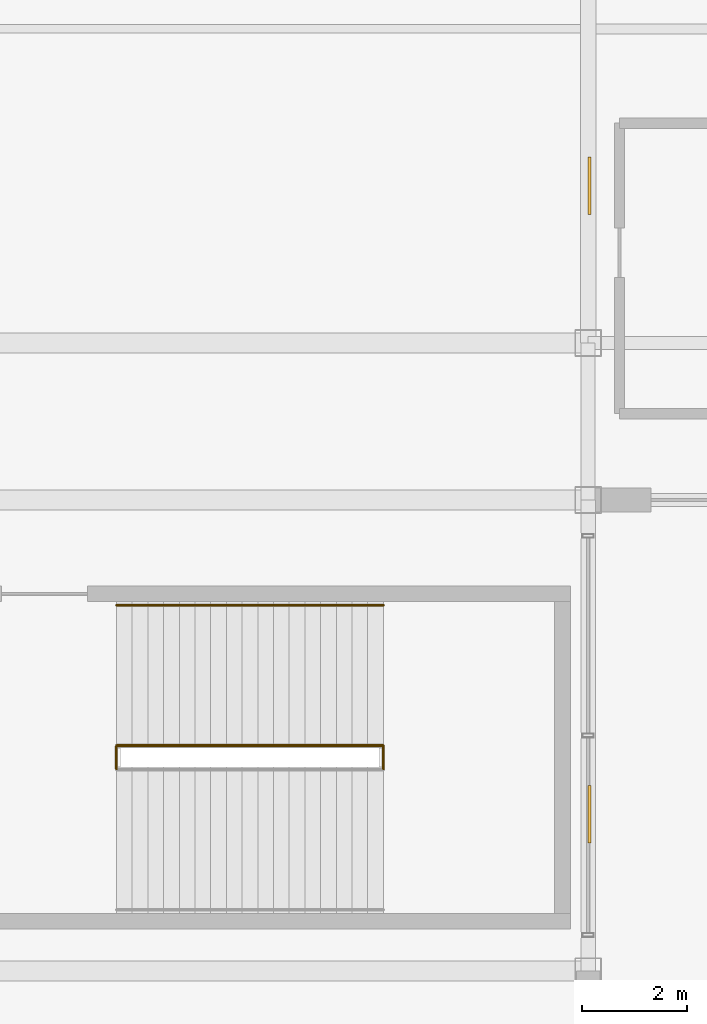
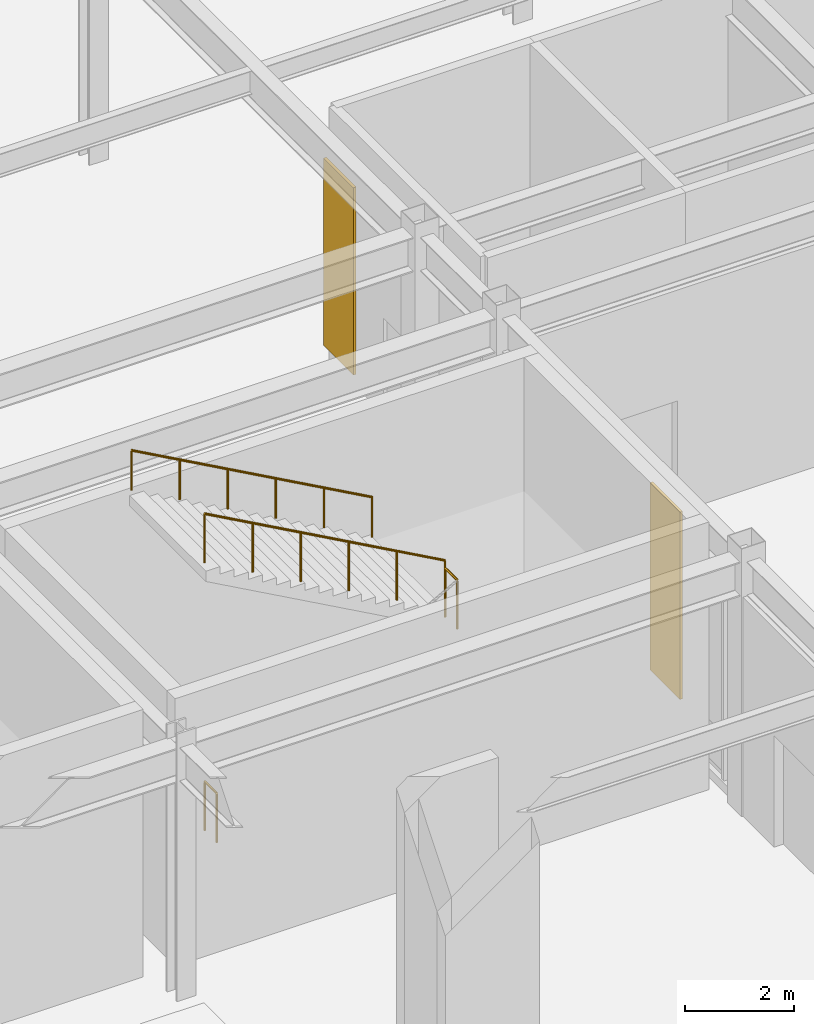
# One storey, part 44 of 44: 4 railings, 2 coverings.
"""IFC4 building model written with IfcOpenShell, lengths in metres."""

from ifc_helpers import new_model, si_unit, direction, frame, origin, origin_2d, place, context, subcontext, project, spatial, rectangle, circle, extrude, material, layer, layer_set, type_object, element, save


model = new_model("IFC4")

# Units and contexts
model_context = context("Model", 3, precision=1e-05, world=origin(), true_north=direction((0.0, 1.0)))
body_context = subcontext(model_context, "Body", "Model", "MODEL_VIEW")
ifc_project = project(units=[si_unit("LENGTHUNIT", "METRE"), si_unit("AREAUNIT", "SQUARE_METRE"), si_unit("VOLUMEUNIT", "CUBIC_METRE"), si_unit("PLANEANGLEUNIT", "RADIAN"), si_unit("MASSUNIT", "GRAM", prefix="KILO")], contexts=[model_context])

# Site, building, storey
site_placement = place(None, origin())
site = spatial("IfcSite", under=ifc_project, at=site_placement, CompositionType="ELEMENT")
building_placement = place(site_placement, origin())
building = spatial("IfcBuilding", under=site, at=building_placement, Name="Kaldorvane Square Convention Centre", CompositionType="ELEMENT")
storey_placement = place(building_placement, origin())
storey = spatial("IfcBuildingStorey", under=building, at=storey_placement, Name="L00", CompositionType="ELEMENT", Elevation=0.0)

# Coverings
ifc_material_1 = material(Name="Concrete f'c = 42 MPa (Normalweight) Precast", Category="concrete")
ifc_layer = layer(ifc_material_1, 0.05999755859375)
ifc_layer_set = layer_set([ifc_layer], Name="Concrete f'c = 42 MPa (Normalweight) Precast")
covering_type = type_object("IfcCoveringType", Name="CV-CLAD-060", PredefinedType="CLADDING", material=ifc_layer_set)
for number, where, z_axis, x_axis, name in (
    (1, (138.02999877929688, 75.0, 0.899993896484375), (0.0, 0.0, 1.0), (1.0, 0.0, 0.0), "Forecourt Pier Architectural Cladding 05"),
    (2, (138.02999877929688, 87.0, 0.899993896484375), (0.0, 0.0, 1.0), (1.0, 0.0, 0.0), "Forecourt Pier Architectural Cladding 06"),
):
    element("IfcCovering", number, at=place(storey_placement, frame(where, z_axis=z_axis, x_axis=x_axis)), inside=storey, type_object=covering_type, Name=name, PredefinedType="CLADDING", context=body_context, shape_type="SweptSolid", body=[
        extrude(rectangle(XDim=0.05999755859375, YDim=1.100006103515625, at=origin_2d()), origin(), (0.0, 0.0, 1.0), 4.1999969482421875),
    ])

# Railings
ifc_material_2 = material(Name="Architectural Painted Steel", Category="steel")
railing_type_1 = type_object("IfcRailingType", Name="RL-GUARD-1120", PredefinedType="BALUSTRADE", material=ifc_material_2)
for number, where, name in (
    (3, (128.99000549316406, 75.86000061035156, 0.0), "Convention Exit Stair C18 Floor Well Guard (L00)"),
    (4, (134.08999633789062, 75.86000061035156, 3.0), "Convention Exit Stair C18 Half-Landing Guard (L00)"),
):
    element("IfcRailing", number, at=place(storey_placement, frame(where)), inside=storey, type_object=railing_type_1, Name=name, PredefinedType="BALUSTRADE", context=body_context, shape_type="SweptSolid", body=[
        extrude(circle(Radius=0.0240020751953125, at=origin_2d()), frame((0.0, 0.0, 1.0959930419921875), z_axis=(0.0, 1.0, 0.0), x_axis=(-1.0, 0.0, 0.0)), (0.0, 0.0, 1.0), 0.44000244140625),
        extrude(circle(Radius=0.02099609375, at=origin_2d()), origin(), (0.0, 0.0, 1.0), 1.071990966796875),
        extrude(circle(Radius=0.02099609375, at=origin_2d()), frame((0.0, 0.44000244140625, 0.0)), (0.0, 0.0, 1.0), 1.071990966796875),
    ])
railing_1_placement = place(storey_placement, frame((134.08999633789062, 76.30999755859375, 3.1666717529296875)))
element("IfcRailing", 5, at=railing_1_placement, inside=storey, type_object=railing_type_1, Name="Convention Exit Stair C18 Flight 2 Guard (L00)", PredefinedType="BALUSTRADE", context=body_context, shape_type="SweptSolid", body=[
    extrude(circle(Radius=0.0240020751953125, at=origin_2d()), frame((0.0, 0.0, 1.0959930419921875), z_axis=(-0.874157276122, 0.0, 0.485642931179), x_axis=(0.0, -1.0, 0.0)), (0.0, 0.0, 1.0), 5.8341827392578125),
    extrude(circle(Radius=0.02099609375, at=origin_2d()), origin(), (0.0, 0.0, 1.0), 1.071990966796875),
    extrude(circle(Radius=0.02099609375, at=origin_2d()), frame((-1.0200042724609375, 0.0, 0.5666656494140625)), (0.0, 0.0, 1.0), 1.071990966796875),
    extrude(circle(Radius=0.02099609375, at=origin_2d()), frame((-2.0399932861328125, 0.0, 1.133331298828125)), (0.0, 0.0, 1.0), 1.071990966796875),
    extrude(circle(Radius=0.02099609375, at=origin_2d()), frame((-3.05999755859375, 0.0, 1.6999969482421875)), (0.0, 0.0, 1.0), 1.071990966796875),
    extrude(circle(Radius=0.02099609375, at=origin_2d()), frame((-4.079986572265625, 0.0, 2.26666259765625)), (0.0, 0.0, 1.0), 1.071990966796875),
    extrude(circle(Radius=0.02099609375, at=origin_2d()), frame((-5.0999908447265625, 0.0, 2.8333282470703125)), (0.0, 0.0, 1.0), 1.071990966796875),
])
railing_type_2 = type_object("IfcRailingType", Name="RL-HAND-915", PredefinedType="HANDRAIL", material=ifc_material_2)
railing_2_placement = place(storey_placement, frame((134.08999633789062, 78.99000549316406, 3.1666717529296875)))
element("IfcRailing", 6, at=railing_2_placement, inside=storey, type_object=railing_type_2, Name="Convention Exit Stair C18 Wall Handrail 2 (L00)", PredefinedType="HANDRAIL", context=body_context, shape_type="SweptSolid", body=[
    extrude(circle(Radius=0.0240020751953125, at=origin_2d()), frame((0.0, 0.0, 0.8909912109375), z_axis=(-0.874157276122, 0.0, 0.485642931179), x_axis=(0.0, -1.0, 0.0)), (0.0, 0.0, 1.0), 5.8341827392578125),
    extrude(circle(Radius=0.02099609375, at=origin_2d()), origin(), (0.0, 0.0, 1.0), 0.8669891357421875),
    extrude(circle(Radius=0.02099609375, at=origin_2d()), frame((-1.0200042724609375, 0.0, 0.5666656494140625)), (0.0, 0.0, 1.0), 0.8669891357421875),
    extrude(circle(Radius=0.02099609375, at=origin_2d()), frame((-2.0399932861328125, 0.0, 1.133331298828125)), (0.0, 0.0, 1.0), 0.8669891357421875),
    extrude(circle(Radius=0.02099609375, at=origin_2d()), frame((-3.05999755859375, 0.0, 1.6999969482421875)), (0.0, 0.0, 1.0), 0.8669891357421875),
    extrude(circle(Radius=0.02099609375, at=origin_2d()), frame((-4.079986572265625, 0.0, 2.26666259765625)), (0.0, 0.0, 1.0), 0.8669891357421875),
    extrude(circle(Radius=0.02099609375, at=origin_2d()), frame((-5.0999908447265625, 0.0, 2.8333282470703125)), (0.0, 0.0, 1.0), 0.8669891357421875),
])

save(model, "model.ifc")
